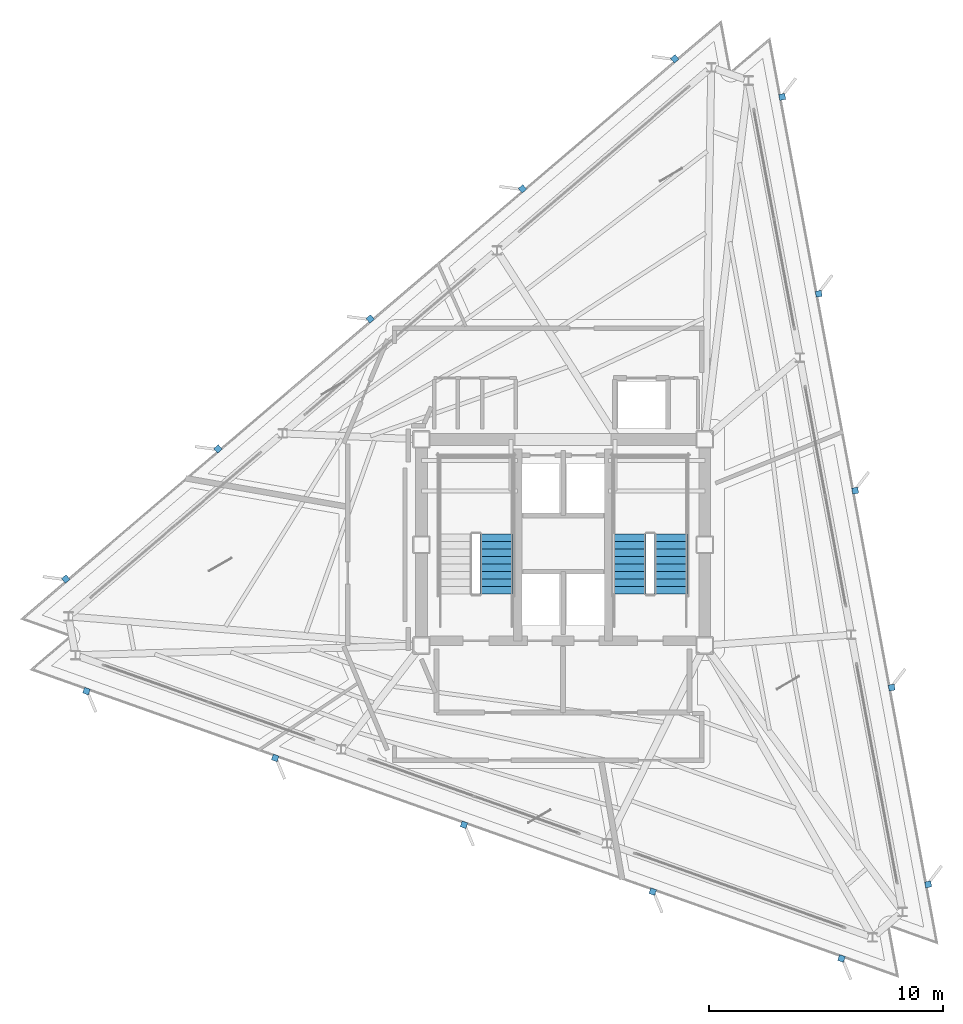
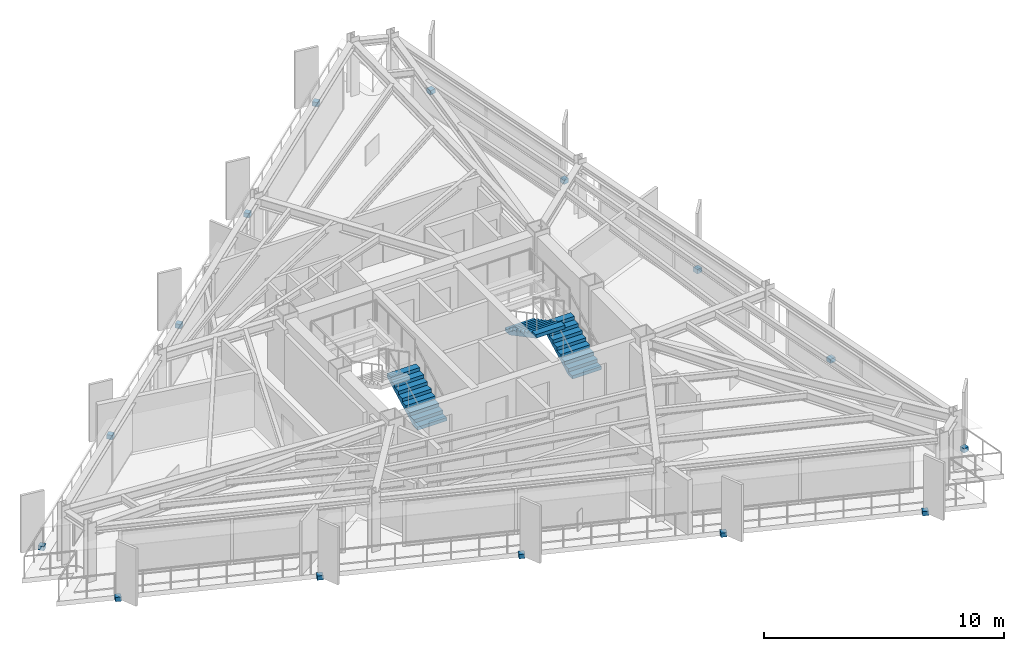
# One storey, part 10 of 14: 15 discrete accessories, 3 stair flights, 2 elements without a shape of their own.
"""IFC4 building model written with IfcOpenShell, lengths in metres."""

from ifc_helpers import new_model, si_unit, direction, frame, origin, origin_2d, place, context, subcontext, project, spatial, polyline, rectangle, outline, extrude, material, layer, layer_set, type_object, element, aggregate, save


model = new_model("IFC4")

# Units and contexts
model_context = context("Model", 3, precision=1e-05, world=origin(), true_north=direction((0.0, 1.0)))
body_context = subcontext(model_context, "Body", "Model", "MODEL_VIEW")
ifc_project = project(units=[si_unit("LENGTHUNIT", "METRE"), si_unit("AREAUNIT", "SQUARE_METRE"), si_unit("VOLUMEUNIT", "CUBIC_METRE"), si_unit("PLANEANGLEUNIT", "RADIAN"), si_unit("MASSUNIT", "GRAM", prefix="KILO")], contexts=[model_context])

# Site, building, storey
site_placement = place(None, origin())
site = spatial("IfcSite", under=ifc_project, at=site_placement, CompositionType="ELEMENT")
building_placement = place(site_placement, origin())
building = spatial("IfcBuilding", under=site, at=building_placement, Name="Rocaltana Carrier Exchange", CompositionType="ELEMENT")
storey_placement = place(building_placement, frame((0.0, 0.0, 184.47998046875)))
storey = spatial("IfcBuildingStorey", under=building, at=storey_placement, Name="L58", CompositionType="ELEMENT", Elevation=184.47998046875)

# Stair, stair flight
ifc_material_1 = material(Name="Precast concrete C45/55", Category="concrete")
stair_type = type_object("IfcStairType", Name="Standard Dog-Leg Stair 160", PredefinedType="HALF_TURN_STAIR", material=ifc_material_1)
stair_1_placement = place(storey_placement, origin())
stair_1 = element("IfcStair", 1, at=stair_1_placement, inside=storey, type_object=stair_type, Name="L58 Core West Exit Stair ST-1", PredefinedType="HALF_TURN_STAIR")
ifc_material_2 = material(Name="Precast concrete C45/55", Category="concrete")
stair_flight_type = type_object("IfcStairFlightType", Name="Precast Stair Flight 160", PredefinedType="STRAIGHT", material=ifc_material_2)
stair_flight_1_placement = place(storey_placement, frame((-2.840087890625, -2.10009765625, 0.0), z_axis=(0.0, 0.0, 1.0), x_axis=(0.0, 1.0, 0.0)))
stair_flight_1 = element("IfcStairFlight", 2, at=stair_flight_1_placement, type_object=stair_flight_type, Name="ST-1 flight 1", NumberOfRisers=9, NumberOfTreads=8, PredefinedType="STRAIGHT", RiserHeight=0.168888889, TreadLength=0.32, context=body_context, shape_type="SweptSolid", body=[
    extrude(outline(polyline([(0.0, 0.0), (0.0, 0.1689453125), (0.320068359375, 0.1689453125), (0.320068359375, 0.337890625), (0.639892578125, 0.337890625), (0.639892578125, 0.506591796875), (0.9599609375, 0.506591796875), (0.9599609375, 0.675537109375), (1.280029296875, 0.675537109375), (1.280029296875, 0.844482421875), (1.60009765625, 0.844482421875), (1.60009765625, 1.013427734375), (1.919921875, 1.013427734375), (1.919921875, 1.18212890625), (2.239990234375, 1.18212890625), (2.239990234375, 1.35107421875), (2.56005859375, 1.35107421875), (2.56005859375, 1.52001953125), (2.56005859375, 1.17041015625), (0.342529296875, 0.0), (0.0, 0.0)])), frame((0.0, 0.699951171875, 0.0), z_axis=(0.0, -1.0, 0.0), x_axis=(1.0, 0.0, 0.0)), (0.0, 0.0, 1.0), 1.39990234375),
])
aggregate(stair_1, [stair_flight_1])

# Stair, stair flights
stair_2_placement = place(storey_placement, origin())
stair_2 = element("IfcStair", 3, at=stair_2_placement, inside=storey, type_object=stair_type, Name="L58 Core East Exit Stair ST-2", PredefinedType="HALF_TURN_STAIR")
stair_flight_2_placement = place(storey_placement, frame((4.60009765625, -2.10009765625, 0.0), z_axis=(0.0, 0.0, 1.0), x_axis=(0.0, 1.0, 0.0)))
stair_flight_2 = element("IfcStairFlight", 4, at=stair_flight_2_placement, type_object=stair_flight_type, Name="ST-2 flight 1", NumberOfRisers=9, NumberOfTreads=8, PredefinedType="STRAIGHT", RiserHeight=0.168888889, TreadLength=0.32, context=body_context, shape_type="SweptSolid", body=[
    extrude(outline(polyline([(0.0, 0.0), (0.0, 0.1689453125), (0.320068359375, 0.1689453125), (0.320068359375, 0.337890625), (0.639892578125, 0.337890625), (0.639892578125, 0.506591796875), (0.9599609375, 0.506591796875), (0.9599609375, 0.675537109375), (1.280029296875, 0.675537109375), (1.280029296875, 0.844482421875), (1.60009765625, 0.844482421875), (1.60009765625, 1.013427734375), (1.919921875, 1.013427734375), (1.919921875, 1.18212890625), (2.239990234375, 1.18212890625), (2.239990234375, 1.35107421875), (2.56005859375, 1.35107421875), (2.56005859375, 1.52001953125), (2.56005859375, 1.17041015625), (0.342529296875, 0.0), (0.0, 0.0)])), frame((0.0, 0.699951171875, 0.0), z_axis=(0.0, -1.0, 0.0), x_axis=(1.0, 0.0, 0.0)), (0.0, 0.0, 1.0), 1.39990234375),
])
stair_flight_3_placement = place(storey_placement, frame((2.840087890625, 0.4599609375, 1.52001953125), z_axis=(0.0, 0.0, 1.0), x_axis=(0.0, -1.0, 0.0)))
stair_flight_3 = element("IfcStairFlight", 5, at=stair_flight_3_placement, type_object=stair_flight_type, Name="ST-2 flight 2", NumberOfRisers=9, NumberOfTreads=8, PredefinedType="STRAIGHT", RiserHeight=0.168888889, TreadLength=0.32, context=body_context, shape_type="SweptSolid", body=[
    extrude(outline(polyline([(0.0, 0.0), (0.0, 0.1689453125), (0.320068359375, 0.1689453125), (0.320068359375, 0.337890625), (0.639892578125, 0.337890625), (0.639892578125, 0.506591796875), (0.9599609375, 0.506591796875), (0.9599609375, 0.675537109375), (1.280029296875, 0.675537109375), (1.280029296875, 0.844482421875), (1.60009765625, 0.844482421875), (1.60009765625, 1.013427734375), (1.919921875, 1.013427734375), (1.919921875, 1.18212890625), (2.239990234375, 1.18212890625), (2.239990234375, 1.35107421875), (2.56005859375, 1.35107421875), (2.56005859375, 1.52001953125), (2.56005859375, 1.17041015625), (0.342529296875, 0.0), (0.0, 0.0)])), frame((0.0, 0.699951171875, 0.0), z_axis=(0.0, -1.0, 0.0), x_axis=(1.0, 0.0, 0.0)), (0.0, 0.0, 1.0), 1.39990234375),
])
aggregate(stair_2, [stair_flight_2, stair_flight_3])

# Discrete accessories
ifc_material_3 = material(Name="Brushed Architectural Stainless Metal", Category="steel")
ifc_layer = layer(ifc_material_3, 0.219970703125)
ifc_layer_set = layer_set([ifc_layer], Name="Brushed Architectural Stainless Metal")
discrete_accessory_type = type_object("IfcDiscreteAccessoryType", Name="Stainless Fin Slab-Edge Bracket 260x260x220", PredefinedType="BRACKET", material=ifc_layer_set)
for number, where, z_axis, x_axis, name in (
    (6, (15.587890625, -14.502197265625, -0.2099609375), (0.0, 0.0, 1.0), (-0.182235525492, 0.983254907564, 0.0), "L58 Sandstone Fin Edge Bracket F1-01"),
    (7, (14.02978515625, -6.095458984375, -0.2099609375), (0.0, 0.0, 1.0), (-0.182235525492, 0.983254907564, 0.0), "L58 Sandstone Fin Edge Bracket F1-02"),
    (8, (12.4716796875, 2.3115234375, -0.2099609375), (0.0, 0.0, 1.0), (-0.182235525492, 0.983254907564, 0.0), "L58 Sandstone Fin Edge Bracket F1-03"),
    (9, (10.91357421875, 10.71826171875, -0.2099609375), (0.0, 0.0, 1.0), (-0.182235525492, 0.983254907564, 0.0), "L58 Sandstone Fin Edge Bracket F1-04"),
    (10, (9.355224609375, 19.125, -0.2099609375), (0.0, 0.0, 1.0), (-0.182235525492, 0.983254907564, 0.0), "L58 Sandstone Fin Edge Bracket F1-05"),
    (11, (4.765380859375, 20.75048828125, -0.2099609375), (0.0, 0.0, 1.0), (-0.7604059656, -0.64944804833, 0.0), "L58 Sandstone Fin Edge Bracket F2-01"),
    (12, (-1.736083984375, 15.19775390625, -0.2099609375), (0.0, 0.0, 1.0), (-0.7604059656, -0.64944804833, 0.0), "L58 Sandstone Fin Edge Bracket F2-02"),
    (13, (-8.237548828125, 9.64501953125, -0.2099609375), (0.0, 0.0, 1.0), (-0.7604059656, -0.64944804833, 0.0), "L58 Sandstone Fin Edge Bracket F2-03"),
    (14, (-14.739013671875, 4.09228515625, -0.2099609375), (0.0, 0.0, 1.0), (-0.7604059656, -0.64944804833, 0.0), "L58 Sandstone Fin Edge Bracket F2-04"),
    (15, (-21.240478515625, -1.460693359375, -0.2099609375), (0.0, 0.0, 1.0), (-0.7604059656, -0.64944804833, 0.0), "L58 Sandstone Fin Edge Bracket F2-05"),
    (16, (-20.353271484375, -6.248291015625, -0.2099609375), (0.0, 0.0, 1.0), (0.942641491092, -0.333806859234, 0.0), "L58 Sandstone Fin Edge Bracket F3-01"),
    (17, (-12.293701171875, -9.102294921875, -0.2099609375), (0.0, 0.0, 1.0), (0.942641491092, -0.333806859234, 0.0), "L58 Sandstone Fin Edge Bracket F3-02"),
    (18, (-4.23388671875, -11.956298828125, -0.2099609375), (0.0, 0.0, 1.0), (0.942641491092, -0.333806859234, 0.0), "L58 Sandstone Fin Edge Bracket F3-03"),
    (19, (3.82568359375, -14.810546875, -0.2099609375), (0.0, 0.0, 1.0), (0.942641491092, -0.333806859234, 0.0), "L58 Sandstone Fin Edge Bracket F3-04"),
    (20, (11.88525390625, -17.66455078125, -0.2099609375), (0.0, 0.0, 1.0), (0.942641491092, -0.333806859234, 0.0), "L58 Sandstone Fin Edge Bracket F3-05"),
):
    element("IfcDiscreteAccessory", number, at=place(storey_placement, frame(where, z_axis=z_axis, x_axis=x_axis)), inside=storey, type_object=discrete_accessory_type, Name=name, PredefinedType="BRACKET", context=body_context, shape_type="SweptSolid", body=[
        extrude(rectangle(XDim=0.260009765625, YDim=0.260009765625, at=origin_2d()), origin(), (0.0, 0.0, 1.0), 0.219970703125),
    ])

save(model, "model.ifc")
